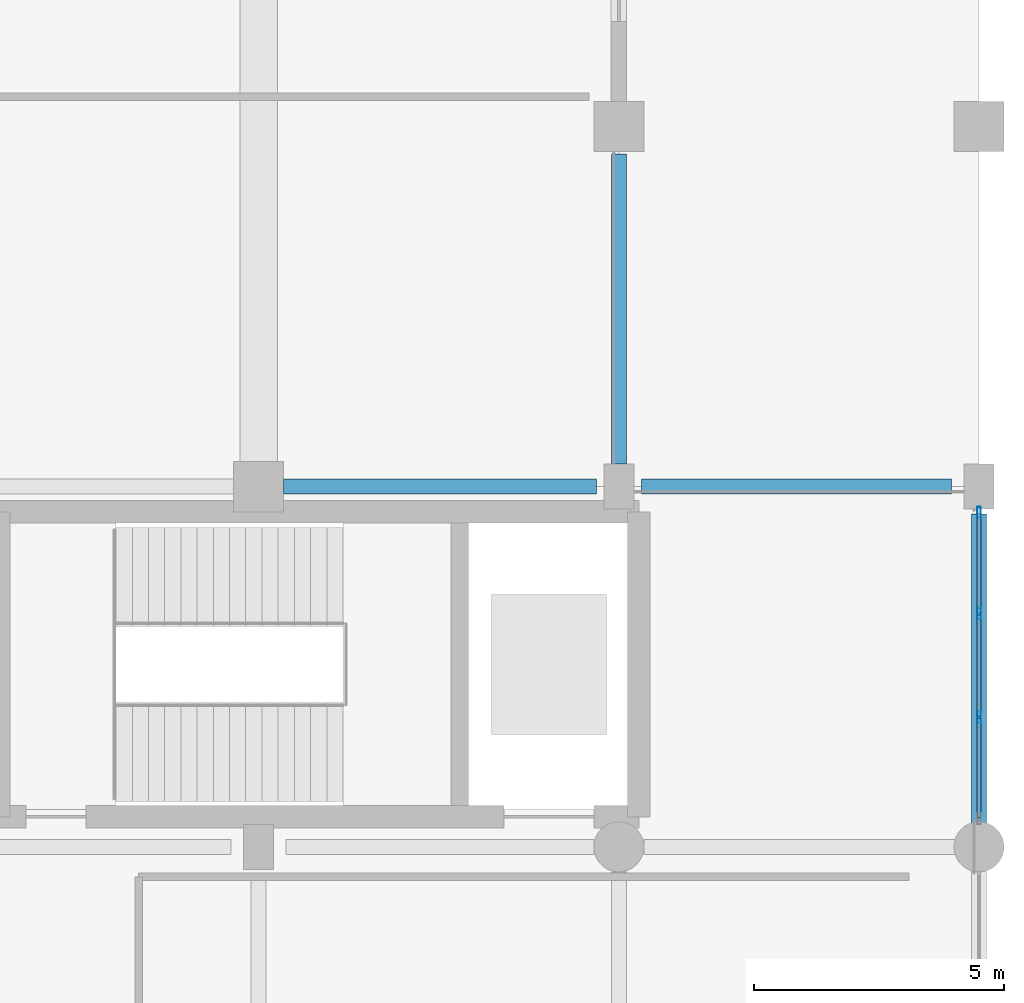
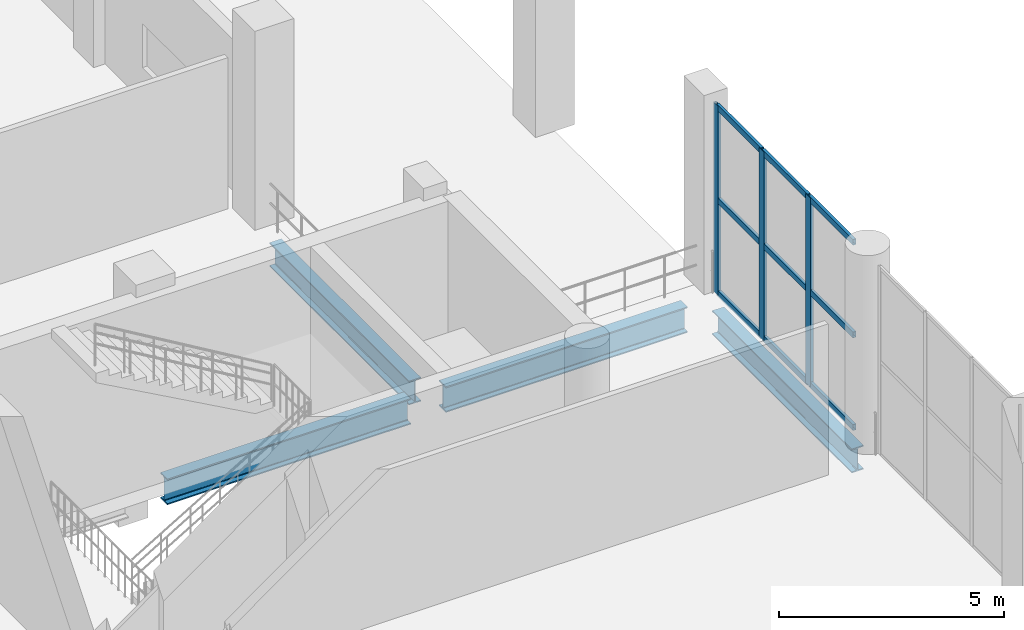
# One storey, part 27 of 58: 12 members, 4 beams, 1 element without a shape of its own.
"""IFC4 building model written with IfcOpenShell, lengths in metres."""

from ifc_helpers import new_model, si_unit, direction, frame, origin, origin_2d, place, context, subcontext, project, spatial, hollow_rectangle, i_section, extrude, material, material_profile, profile_set, type_object, element, aggregate, save


model = new_model("IFC4")

# Units and contexts
model_context = context("Model", 3, precision=1e-05, world=origin(), true_north=direction((0.0, 1.0)))
body_context = subcontext(model_context, "Body", "Model", "MODEL_VIEW")
ifc_project = project(units=[si_unit("LENGTHUNIT", "METRE"), si_unit("AREAUNIT", "SQUARE_METRE"), si_unit("VOLUMEUNIT", "CUBIC_METRE"), si_unit("PLANEANGLEUNIT", "RADIAN"), si_unit("MASSUNIT", "GRAM", prefix="KILO")], contexts=[model_context])

# Site, building, storey
site_placement = place(None, origin())
site = spatial("IfcSite", under=ifc_project, at=site_placement, CompositionType="ELEMENT")
building_placement = place(site_placement, origin())
building = spatial("IfcBuilding", under=site, at=building_placement, Name="Qandorah Velis Arena", CompositionType="ELEMENT")
storey_placement = place(building_placement, origin())
storey = spatial("IfcBuildingStorey", under=building, at=storey_placement, Name="L00", CompositionType="ELEMENT", Elevation=0.0)

# Curtain wall, members
ifc_material_1 = material(Name="Solar-control low-E double glazing", Category="glass")
curtain_wall_type = type_object("IfcCurtainWallType", Name="ARC-CW-SYS17", PredefinedType="USERDEFINED", material=ifc_material_1)
curtain_wall_placement = place(storey_placement, origin())
curtain_wall = element("IfcCurtainWall", 1, at=curtain_wall_placement, inside=storey, type_object=curtain_wall_type, Name="Unitised curtain wall L00-137", ObjectType="UNITISED CURTAIN WALL", PredefinedType="USERDEFINED")
ifc_material_2 = material(Name="Champagne-bronze anodized aluminium 6063-T6", Category="aluminium")
ifc_material_profile_1 = material_profile(ifc_material_2, hollow_rectangle(XDim=0.074951171875, YDim=0.219970703125, WallThickness=0.00390625, at=origin_2d()), Name="ALU MULLION 75x220")
ifc_profile_set_1 = profile_set([ifc_material_profile_1], Name="Champagne-bronze anodized aluminium 6063-T6")
member_type_1 = type_object("IfcMemberType", Name="ARC-CWM-220", PredefinedType="MULLION", material=ifc_profile_set_1)
member_1_placement = place(storey_placement, frame((172.800048828125, 81.791748046875, -0.014892578125), z_axis=(0.0, 0.0, 1.0), x_axis=(-1.0, 0.0, 0.0)))
member_1 = element("IfcMember", 2, at=member_1_placement, type_object=member_type_1, Name="CW17 mullion 2", PredefinedType="MULLION", context=body_context, shape_type="SweptSolid", body=[
    extrude(hollow_rectangle(XDim=0.074951171875, YDim=0.219970703125, WallThickness=0.00390625, at=origin_2d()), origin(), (0.0, 0.0, 1.0), 5.1298828125),
])
member_2_placement = place(storey_placement, frame((172.800048828125, 83.8583984375, -0.014892578125), z_axis=(0.0, 0.0, 1.0), x_axis=(-1.0, 0.0, 0.0)))
member_2 = element("IfcMember", 3, at=member_2_placement, type_object=member_type_1, Name="CW17 mullion 3", PredefinedType="MULLION", context=body_context, shape_type="SweptSolid", body=[
    extrude(hollow_rectangle(XDim=0.074951171875, YDim=0.219970703125, WallThickness=0.00390625, at=origin_2d()), origin(), (0.0, 0.0, 1.0), 5.1298828125),
])
member_3_placement = place(storey_placement, frame((172.800048828125, 85.887451171875, -0.014892578125), z_axis=(0.0, 0.0, 1.0), x_axis=(-1.0, 0.0, 0.0)))
member_3 = element("IfcMember", 4, at=member_3_placement, type_object=member_type_1, Name="CW17 mullion 4", PredefinedType="MULLION", context=body_context, shape_type="SweptSolid", body=[
    extrude(hollow_rectangle(XDim=0.074951171875, YDim=0.219970703125, WallThickness=0.00390625, at=origin_2d()), origin(), (0.0, 0.0, 1.0), 5.1298828125),
])
ifc_material_profile_2 = material_profile(ifc_material_2, hollow_rectangle(XDim=0.074951171875, YDim=0.159912109375, WallThickness=0.00341796875, at=origin_2d()), Name="ALU TRANSOM 75x160")
ifc_profile_set_2 = profile_set([ifc_material_profile_2], Name="Champagne-bronze anodized aluminium 6063-T6")
member_type_2 = type_object("IfcMemberType", Name="ARC-CWT-160", PredefinedType="USERDEFINED", material=ifc_profile_set_2)
member_4_placement = place(storey_placement, frame((172.800048828125, 79.7880859375, 0.03759765625), z_axis=(0.0, 1.0, 0.0), x_axis=(-1.0, 0.0, 0.0)))
member_4 = element("IfcMember", 5, at=member_4_placement, type_object=member_type_2, Name="CW17 transom 1.1", ObjectType="TRANSOM", PredefinedType="USERDEFINED", context=body_context, shape_type="SweptSolid", body=[
    extrude(hollow_rectangle(XDim=0.074951171875, YDim=0.159912109375, WallThickness=0.00341796875, at=origin_2d()), origin(), (0.0, 0.0, 1.0), 1.97802734375),
])
member_5_placement = place(storey_placement, frame((172.800048828125, 79.7880859375, 2.550048828125), z_axis=(0.0, 1.0, 0.0), x_axis=(-1.0, 0.0, 0.0)))
member_5 = element("IfcMember", 6, at=member_5_placement, type_object=member_type_2, Name="CW17 transom 1.2", ObjectType="TRANSOM", PredefinedType="USERDEFINED", context=body_context, shape_type="SweptSolid", body=[
    extrude(hollow_rectangle(XDim=0.074951171875, YDim=0.159912109375, WallThickness=0.00341796875, at=origin_2d()), origin(), (0.0, 0.0, 1.0), 1.97802734375),
])
member_6_placement = place(storey_placement, frame((172.800048828125, 79.7880859375, 5.0625), z_axis=(0.0, 1.0, 0.0), x_axis=(-1.0, 0.0, 0.0)))
member_6 = element("IfcMember", 7, at=member_6_placement, type_object=member_type_2, Name="CW17 transom 1.3", ObjectType="TRANSOM", PredefinedType="USERDEFINED", context=body_context, shape_type="SweptSolid", body=[
    extrude(hollow_rectangle(XDim=0.074951171875, YDim=0.159912109375, WallThickness=0.00341796875, at=origin_2d()), origin(), (0.0, 0.0, 1.0), 1.97802734375),
])
member_7_placement = place(storey_placement, frame((172.800048828125, 81.817138671875, 0.03759765625), z_axis=(0.0, 1.0, 0.0), x_axis=(-1.0, 0.0, 0.0)))
member_7 = element("IfcMember", 8, at=member_7_placement, type_object=member_type_2, Name="CW17 transom 2.1", ObjectType="TRANSOM", PredefinedType="USERDEFINED", context=body_context, shape_type="SweptSolid", body=[
    extrude(hollow_rectangle(XDim=0.074951171875, YDim=0.159912109375, WallThickness=0.00341796875, at=origin_2d()), origin(), (0.0, 0.0, 1.0), 2.015625),
])
member_8_placement = place(storey_placement, frame((172.800048828125, 81.817138671875, 2.550048828125), z_axis=(0.0, 1.0, 0.0), x_axis=(-1.0, 0.0, 0.0)))
member_8 = element("IfcMember", 9, at=member_8_placement, type_object=member_type_2, Name="CW17 transom 2.2", ObjectType="TRANSOM", PredefinedType="USERDEFINED", context=body_context, shape_type="SweptSolid", body=[
    extrude(hollow_rectangle(XDim=0.074951171875, YDim=0.159912109375, WallThickness=0.00341796875, at=origin_2d()), origin(), (0.0, 0.0, 1.0), 2.015625),
])
member_9_placement = place(storey_placement, frame((172.800048828125, 81.817138671875, 5.0625), z_axis=(0.0, 1.0, 0.0), x_axis=(-1.0, 0.0, 0.0)))
member_9 = element("IfcMember", 10, at=member_9_placement, type_object=member_type_2, Name="CW17 transom 2.3", ObjectType="TRANSOM", PredefinedType="USERDEFINED", context=body_context, shape_type="SweptSolid", body=[
    extrude(hollow_rectangle(XDim=0.074951171875, YDim=0.159912109375, WallThickness=0.00341796875, at=origin_2d()), origin(), (0.0, 0.0, 1.0), 2.015625),
])
member_10_placement = place(storey_placement, frame((172.800048828125, 83.8837890625, 0.03759765625), z_axis=(0.0, 1.0, 0.0), x_axis=(-1.0, 0.0, 0.0)))
member_10 = element("IfcMember", 11, at=member_10_placement, type_object=member_type_2, Name="CW17 transom 3.1", ObjectType="TRANSOM", PredefinedType="USERDEFINED", context=body_context, shape_type="SweptSolid", body=[
    extrude(hollow_rectangle(XDim=0.074951171875, YDim=0.159912109375, WallThickness=0.00341796875, at=origin_2d()), origin(), (0.0, 0.0, 1.0), 1.978271484375),
])
member_11_placement = place(storey_placement, frame((172.800048828125, 83.8837890625, 2.550048828125), z_axis=(0.0, 1.0, 0.0), x_axis=(-1.0, 0.0, 0.0)))
member_11 = element("IfcMember", 12, at=member_11_placement, type_object=member_type_2, Name="CW17 transom 3.2", ObjectType="TRANSOM", PredefinedType="USERDEFINED", context=body_context, shape_type="SweptSolid", body=[
    extrude(hollow_rectangle(XDim=0.074951171875, YDim=0.159912109375, WallThickness=0.00341796875, at=origin_2d()), origin(), (0.0, 0.0, 1.0), 1.978271484375),
])
member_12_placement = place(storey_placement, frame((172.800048828125, 83.8837890625, 5.0625), z_axis=(0.0, 1.0, 0.0), x_axis=(-1.0, 0.0, 0.0)))
member_12 = element("IfcMember", 13, at=member_12_placement, type_object=member_type_2, Name="CW17 transom 3.3", ObjectType="TRANSOM", PredefinedType="USERDEFINED", context=body_context, shape_type="SweptSolid", body=[
    extrude(hollow_rectangle(XDim=0.074951171875, YDim=0.159912109375, WallThickness=0.00341796875, at=origin_2d()), origin(), (0.0, 0.0, 1.0), 1.978271484375),
])
aggregate(curtain_wall, [member_1, member_2, member_3, member_4, member_5, member_6, member_7, member_8, member_9, member_10, member_11, member_12])

# Beams
ifc_material_3 = material(Name="Steel S355", Category="steel")
ifc_material_profile_3 = material_profile(ifc_material_3, i_section(OverallWidth=0.300048828125, OverallDepth=0.64990234375, WebThickness=0.01611328125, FlangeThickness=0.031005859375, FilletRadius=0.027099609375, at=origin_2d()), Name="HEB 650")
ifc_profile_set_3 = profile_set([ifc_material_profile_3], Name="Steel S355")
beam_type_1 = type_object("IfcBeamType", Name="STR-BM-HEB650", PredefinedType="BEAM", material=ifc_profile_set_3)
beam_1_placement = place(storey_placement, frame((165.60009765625, 86.85009765625, -0.7451171875), z_axis=(0.0, 1.0, 0.0), x_axis=(-1.0, 0.0, 0.0)))
element("IfcBeam", 14, at=beam_1_placement, inside=storey, type_object=beam_type_1, Name="Primary floor girder L00 Y-520", PredefinedType="BEAM", context=body_context, shape_type="SweptSolid", body=[
    extrude(i_section(OverallWidth=0.300048828125, OverallDepth=0.64990234375, WebThickness=0.01611328125, FlangeThickness=0.031005859375, FilletRadius=0.027099609375, at=origin_2d()), origin(), (0.0, 0.0, 1.0), 6.199951171875),
])
beam_2_placement = place(storey_placement, frame((172.800048828125, 79.64990234375, -0.7451171875), z_axis=(0.0, 1.0, 0.0), x_axis=(-1.0, 0.0, 0.0)))
element("IfcBeam", 15, at=beam_2_placement, inside=storey, type_object=beam_type_1, Name="Primary floor girder L00 Y-530", PredefinedType="BEAM", context=body_context, shape_type="SweptSolid", body=[
    extrude(i_section(OverallWidth=0.300048828125, OverallDepth=0.64990234375, WebThickness=0.01611328125, FlangeThickness=0.031005859375, FilletRadius=0.027099609375, at=origin_2d()), origin(), (0.0, 0.0, 1.0), 6.2001953125),
])
ifc_material_profile_4 = material_profile(ifc_material_3, i_section(OverallWidth=0.300048828125, OverallDepth=0.699951171875, WebThickness=0.01708984375, FlangeThickness=0.031982421875, FilletRadius=0.027099609375, at=origin_2d()), Name="HEB 700")
ifc_profile_set_4 = profile_set([ifc_material_profile_4], Name="Steel S355")
beam_type_2 = type_object("IfcBeamType", Name="STR-BM-HEB700", PredefinedType="BEAM", material=ifc_profile_set_4)
beam_3_placement = place(storey_placement, frame((158.89990234375, 86.39990234375, -0.77001953125), z_axis=(1.0, 0.0, 0.0), x_axis=(0.0, 1.0, 0.0)))
element("IfcBeam", 16, at=beam_3_placement, inside=storey, type_object=beam_type_2, Name="Primary floor girder L00 X-161", PredefinedType="BEAM", context=body_context, shape_type="SweptSolid", body=[
    extrude(i_section(OverallWidth=0.300048828125, OverallDepth=0.699951171875, WebThickness=0.01708984375, FlangeThickness=0.031982421875, FilletRadius=0.027099609375, at=origin_2d()), origin(), (0.0, 0.0, 1.0), 6.25),
])
beam_4_placement = place(storey_placement, frame((166.050048828125, 86.39990234375, -0.77001953125), z_axis=(1.0, 0.0, 0.0), x_axis=(0.0, 1.0, 0.0)))
element("IfcBeam", 17, at=beam_4_placement, inside=storey, type_object=beam_type_2, Name="Primary floor girder L00 X-162", PredefinedType="BEAM", context=body_context, shape_type="SweptSolid", body=[
    extrude(i_section(OverallWidth=0.300048828125, OverallDepth=0.699951171875, WebThickness=0.01708984375, FlangeThickness=0.031982421875, FilletRadius=0.027099609375, at=origin_2d()), origin(), (0.0, 0.0, 1.0), 6.199951171875),
])

save(model, "model.ifc")
